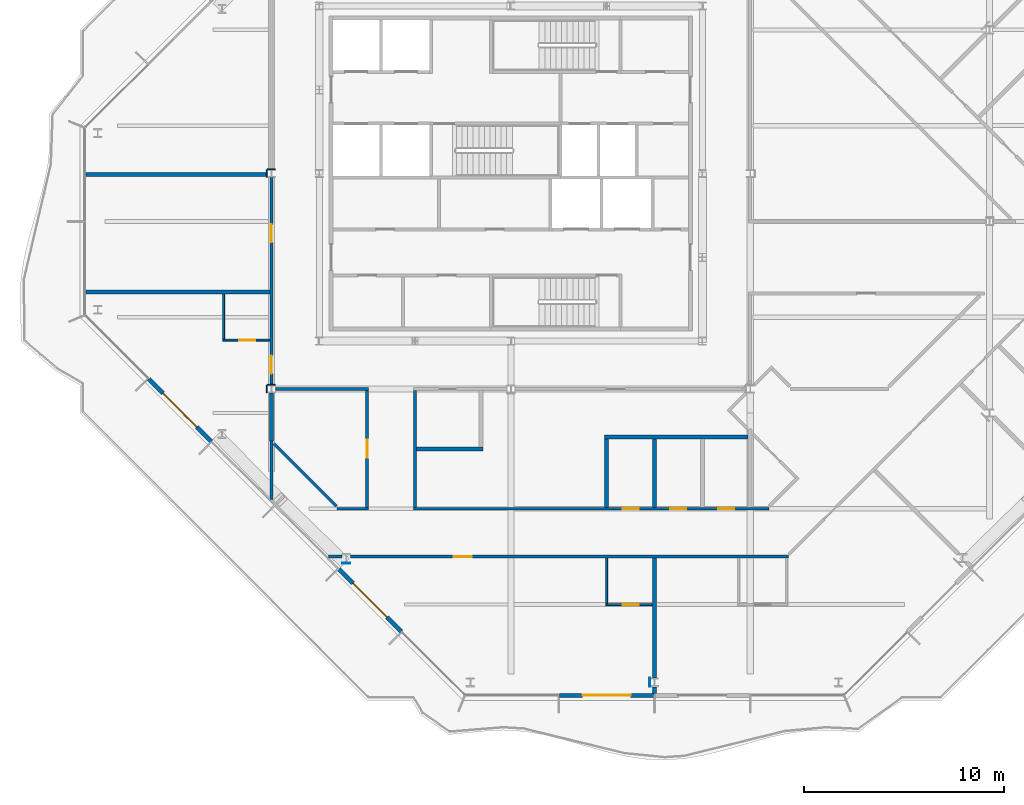
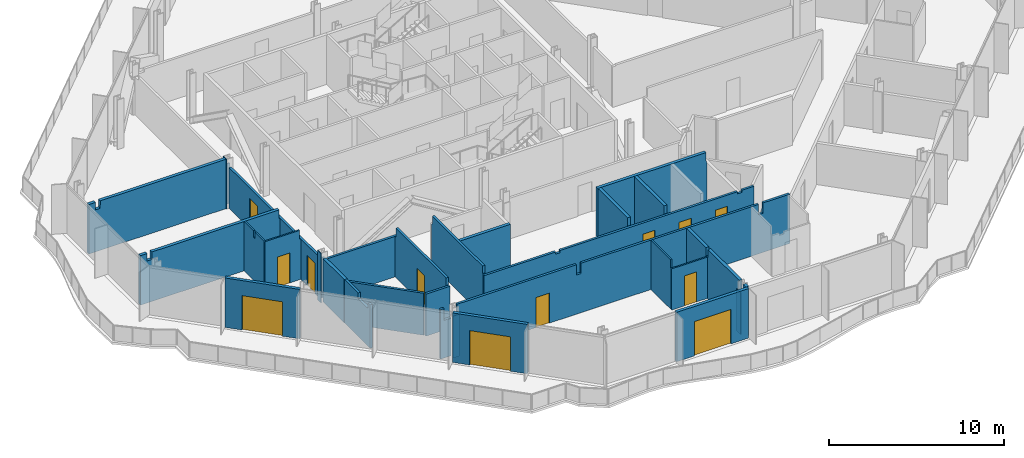
# One storey, part 7 of 17: 32 walls, 12 doors, 12 openings.
"""IFC4 building model written with IfcOpenShell, lengths in metres."""

import ifcopenshell
import ifcopenshell.guid

model = None  # the IFC model being written
_history = None  # IfcOwnerHistory: only IFC2X3 demands one
_inside = {}  # id of a spatial element -> (the spatial element, [elements in it])
_under = {}  # id of a project, library or spatial element -> (it, [spatial elements below it])
_declared = {}  # id of a project -> (the project, [libraries it declares])
_typed = {}  # id of a type object -> (the type object, [elements of that type])
_made_of = {}  # id of a material, layer set ... -> (it, [elements and type objects made of it])


def new_model(schema):
    """Start an empty IFC model of exactly this schema.

    Asked for "IFC4X3", IfcOpenShell would pick the latest addendum, in which some entities
    have other attributes; the version numbers below select the first issue.
    IFC2X3 requires an IfcOwnerHistory on every rooted entity: one is made here for all.
    """
    global model, _history
    if schema == "IFC4X3":
        model = ifcopenshell.file(schema_version=(4, 3, 0, 0))
    else:
        model = ifcopenshell.file(schema=schema)
    _inside.clear()
    _under.clear()
    _declared.clear()
    _typed.clear()
    _made_of.clear()
    _history = None
    if model.schema == "IFC2X3":
        org = make("IfcOrganization", Name="unknown")
        user = make(
            "IfcPersonAndOrganization",
            ThePerson=make("IfcPerson", FamilyName="unknown"),
            TheOrganization=org,
        )
        app = make(
            "IfcApplication",
            ApplicationDeveloper=org,
            Version="unknown",
            ApplicationFullName="unknown",
            ApplicationIdentifier="unknown",
        )
        _history = make(
            "IfcOwnerHistory",
            OwningUser=user,
            OwningApplication=app,
            ChangeAction="ADDED",
            CreationDate=0,
        )
    return model


def make(cls, **values):
    """One entity of the class cls with the attributes given. An attribute that is None is left unset."""
    return model.create_entity(
        cls, **{name: value for name, value in values.items() if value is not None}
    )


def rooted(cls, **values):
    """An entity with a GlobalId (a new one), such as an element, a storey or a relation."""
    return make(cls, GlobalId=ifcopenshell.guid.new(), OwnerHistory=_history, **values)


def si_unit(unit_type, name, prefix=None):
    """IfcSIUnit, for example si_unit("LENGTHUNIT", "METRE", prefix="MILLI")."""
    return make("IfcSIUnit", UnitType=unit_type, Prefix=prefix, Name=name)


def assignment(units):
    """IfcUnitAssignment: the units of a project."""
    return None if units is None else make("IfcUnitAssignment", Units=units)


def point(xyz):
    """IfcCartesianPoint."""
    return None if xyz is None else make("IfcCartesianPoint", Coordinates=xyz)


def direction(xyz):
    """IfcDirection."""
    return None if xyz is None else make("IfcDirection", DirectionRatios=xyz)


def frame(location, z_axis=None, x_axis=None):
    """IfcAxis2Placement3D, a coordinate frame: its origin and axes. An axis left out is left unset."""
    return make(
        "IfcAxis2Placement3D",
        Location=point(location),
        Axis=direction(z_axis),
        RefDirection=direction(x_axis),
    )


def frame_2d(location, x_axis=None):
    """IfcAxis2Placement2D, a coordinate frame in the plane: its origin and x axis."""
    return make(
        "IfcAxis2Placement2D", Location=point(location), RefDirection=direction(x_axis)
    )


def origin():
    """The frame at (0, 0, 0) with its axes left unset."""
    return frame((0.0, 0.0, 0.0))


def place(relative_to, where):
    """IfcLocalPlacement: puts the frame where relative to a parent placement (None: the world)."""
    return make(
        "IfcLocalPlacement", PlacementRelTo=relative_to, RelativePlacement=where
    )


def context(
    kind, dimensions, precision=None, world=None, true_north=None, identifier=None
):
    """IfcGeometricRepresentationContext, for example the 3D "Model" context."""
    return make(
        "IfcGeometricRepresentationContext",
        ContextIdentifier=identifier,
        ContextType=kind,
        CoordinateSpaceDimension=dimensions,
        Precision=precision,
        WorldCoordinateSystem=world,
        TrueNorth=true_north,
    )


def subcontext(parent, identifier, kind, view, scale=None):
    """IfcGeometricRepresentationSubContext, for example "Body" below "Model"."""
    return make(
        "IfcGeometricRepresentationSubContext",
        ContextIdentifier=identifier,
        ContextType=kind,
        ParentContext=parent,
        TargetScale=scale,
        TargetView=view,
    )


def project(units=None, contexts=None):
    """IfcProject with its units and contexts."""
    return rooted(
        "IfcProject",
        Name="project",
        RepresentationContexts=contexts,
        UnitsInContext=assignment(units),
    )


def spatial(cls, under=None, at=None, **own):
    """A site, building, storey or space (cls), placed at a placement, below another one or the project."""
    s = rooted(cls, ObjectPlacement=at, **own)
    if under is not None:
        _under.setdefault(under.id(), (under, []))[1].append(s)
    return s


def polyline(points):
    """IfcPolyline through the points."""
    return make("IfcPolyline", Points=[point(p) for p in points])


def profile(cls, at=None, kind="AREA", **sizes):
    """A parametric profile (cls). Its sizes go by their IFC names, for example OverallWidth=200.0."""
    return make(cls, ProfileType=kind, Position=at, **sizes)


def rectangle(**sizes):
    """IfcRectangleProfileDef."""
    return profile("IfcRectangleProfileDef", **sizes)


def outline(outer, holes=None, kind="AREA"):
    """IfcArbitraryClosedProfileDef: a profile drawn as a closed curve; with holes, ...WithVoids."""
    if holes is None:
        return make("IfcArbitraryClosedProfileDef", ProfileType=kind, OuterCurve=outer)
    return make(
        "IfcArbitraryProfileDefWithVoids",
        ProfileType=kind,
        OuterCurve=outer,
        InnerCurves=holes,
    )


def extrude(swept, where, along, depth):
    """IfcExtrudedAreaSolid: the profile swept, set in the frame where, extruded along a direction by depth."""
    return make(
        "IfcExtrudedAreaSolid",
        SweptArea=swept,
        Position=where,
        ExtrudedDirection=direction(along),
        Depth=depth,
    )


def shape(context_of_items, identifier, shape_type, items):
    """IfcShapeRepresentation: the items that make up one representation, for example the "Body"."""
    return make(
        "IfcShapeRepresentation",
        ContextOfItems=context_of_items,
        RepresentationIdentifier=identifier,
        RepresentationType=shape_type,
        Items=items,
    )


def material(Name=None, Category=None):
    """IfcMaterial."""
    return make("IfcMaterial", Name=Name, Category=Category)


def layer(
    of_material, thickness, ventilated=None, Name=None, Category=None, Priority=None
):
    """IfcMaterialLayer: one layer of a wall or slab, of a material (None: an air gap)."""
    return make(
        "IfcMaterialLayer",
        Material=of_material,
        LayerThickness=thickness,
        IsVentilated=ventilated,
        Name=Name,
        Category=Category,
        Priority=Priority,
    )


def layer_set(layers, Name=None):
    """IfcMaterialLayerSet."""
    return make("IfcMaterialLayerSet", MaterialLayers=layers, LayerSetName=Name)


def made_of(thing, what):
    """Note that an element or type object is made of a material, layer set ...; save() writes the relation."""
    if what is not None:
        _made_of.setdefault(what.id(), (what, []))[1].append(thing)
    return thing


def type_object(cls, material=None, **own):
    """A type object (cls), such as IfcWallType, which elements share."""
    return made_of(rooted(cls, **own), material)


def element(
    cls,
    number,
    at=None,
    inside=None,
    cuts=None,
    type_object=None,
    material=None,
    context=None,
    identifier="Body",
    shape_type=None,
    held_by="IfcProductDefinitionShape",
    body=None,
    shapes=None,
    **own,
):
    """One element of the class cls, such as IfcWall. Its Tag is "e" and its number.

    at: its placement. inside: the storey or other place that contains it. cuts: it is an
    opening in that element (IfcRelVoidsElement). A single representation is given by context,
    identifier, shape_type and body (its items); several are given by shapes. held_by: the class
    of the entity that holds the representations. save() writes the other relations.
    """
    e = rooted(cls, Tag="e%d" % number, ObjectPlacement=at, **own)
    if body is not None:
        shapes = [shape(context, identifier, shape_type, body)]
    if shapes is not None:
        e.Representation = make(held_by, Representations=shapes)
    if inside is not None:
        _inside.setdefault(inside.id(), (inside, []))[1].append(e)
    if cuts is not None:
        rooted(
            "IfcRelVoidsElement", RelatingBuildingElement=cuts, RelatedOpeningElement=e
        )
    if type_object is not None:
        _typed.setdefault(type_object.id(), (type_object, []))[1].append(e)
    return made_of(e, material)


def fill(opening, filler):
    """IfcRelFillsElement: the door or window that sits in an opening."""
    return rooted(
        "IfcRelFillsElement",
        RelatingOpeningElement=opening,
        RelatedBuildingElement=filler,
    )


def aggregate(whole, parts):
    """IfcRelAggregates: a whole, such as a stair, and the parts it consists of."""
    return rooted("IfcRelAggregates", RelatingObject=whole, RelatedObjects=parts)


def save(model, path):
    """Write the relations noted so far, then the file.

    IfcRelAggregates (storeys below a building ...), IfcRelContainedInSpatialStructure (elements
    in a storey), IfcRelDefinesByType, IfcRelAssociatesMaterial and IfcRelDeclares: one each for
    every whole, place, type object, material and project.
    """
    for whole, parts in _under.values():
        aggregate(whole, parts)
    for where, things in _inside.values():
        rooted(
            "IfcRelContainedInSpatialStructure",
            RelatedElements=things,
            RelatingStructure=where,
        )
    for kind, things in _typed.values():
        rooted("IfcRelDefinesByType", RelatedObjects=things, RelatingType=kind)
    for what, things in _made_of.values():
        rooted("IfcRelAssociatesMaterial", RelatedObjects=things, RelatingMaterial=what)
    for by, libraries in _declared.values():
        rooted("IfcRelDeclares", RelatingContext=by, RelatedDefinitions=libraries)
    model.write(path)


model = new_model("IFC4")

# Units and contexts
model_context = context("Model", 3, precision=1e-05, world=origin(), true_north=direction((0.0, 1.0)))
body_context = subcontext(model_context, "Body", "Model", "MODEL_VIEW")
ifc_project = project(units=[si_unit("LENGTHUNIT", "METRE"), si_unit("AREAUNIT", "SQUARE_METRE"), si_unit("VOLUMEUNIT", "CUBIC_METRE"), si_unit("PLANEANGLEUNIT", "RADIAN"), si_unit("MASSUNIT", "GRAM", prefix="KILO")], contexts=[model_context])

# Site, building, storey
site_placement = place(None, origin())
site = spatial("IfcSite", under=ifc_project, at=site_placement, CompositionType="ELEMENT")
building_placement = place(site_placement, origin())
building = spatial("IfcBuilding", under=site, at=building_placement, Name="Cairn Pilgrim Tower", CompositionType="ELEMENT")
storey_placement = place(building_placement, frame((0.0, 0.0, 210.60009765625)))
storey = spatial("IfcBuildingStorey", under=building, at=storey_placement, Name="L53", CompositionType="ELEMENT", Elevation=210.60009765625)

# Wall, opening, door
ifc_material_1 = material(Name="Bronze anodised aluminium insulated sandwich panel with mineral wool fill", Category="aluminium")
ifc_layer_1 = layer(ifc_material_1, 0.199951171875)
ifc_layer_set_1 = layer_set([ifc_layer_1], Name="BRONZE INFILL FRAME WALL 200")
wall_type_1 = type_object("IfcWallType", Name="BRONZE INFILL FRAME WALL 200", PredefinedType="NOTDEFINED", material=ifc_layer_set_1)
wall_1_placement = place(storey_placement, frame((9.6298828125, -23.75, 0.0), z_axis=(0.0, 0.0, 1.0), x_axis=(1.0, 0.0, 0.0)))
wall_1 = element("IfcWall", 1, at=wall_1_placement, inside=storey, type_object=wall_type_1, Name="Bronze infill frame wall IW-S2", PredefinedType="NOTDEFINED", context=body_context, shape_type="SweptSolid", body=[
    extrude(rectangle(XDim=4.740234375, YDim=0.199951171875, at=frame_2d((2.3701171875, 0.0))), origin(), (0.0, 0.0, 1.0), 3.449951171875),
])
opening_1_placement = place(wall_1_placement, frame((1.169921875, 0.0, 0.0)))
opening_1 = element("IfcOpeningElement", 2, at=opening_1_placement, cuts=wall_1, Name="Opening 5312B2", PredefinedType="OPENING", context=body_context, shape_type="SweptSolid", body=[
    extrude(rectangle(XDim=2.39990234375, YDim=2.39990234375, at=frame_2d((1.199951171875, 1.199951171875))), frame((0.0, 0.10986328125, 0.0), z_axis=(0.0, -1.0, 0.0), x_axis=(1.0, 0.0, 0.0)), (0.0, 0.0, 1.0), 0.219970703125),
])
ifc_material_2 = material(Name="Bronze anodised aluminium frame with tinted low-E glass", Category="aluminium")
door_type_1 = type_object("IfcDoorType", Name="BALCONY SLIDING DOOR 2400x2400", OperationType="DOUBLE_DOOR_SLIDING", PredefinedType="DOOR", material=ifc_material_2)
door_1_placement = place(opening_1_placement, origin())
door_1 = element("IfcDoor", 3, at=door_1_placement, inside=storey, type_object=door_type_1, Name="Balcony sliding door 5312B2", OperationType="SINGLE_SWING_LEFT", OverallHeight=2.39990234375, OverallWidth=2.39990234375, PredefinedType="DOOR", context=body_context, shape_type="SweptSolid", body=[
    extrude(rectangle(XDim=2.39990234375, YDim=2.39990234375, at=frame_2d((1.199951171875, 1.199951171875))), frame((0.0, 0.02490234375, 0.0), z_axis=(0.0, -1.0, 0.0), x_axis=(1.0, 0.0, 0.0)), (0.0, 0.0, 1.0), 0.050048828125),
])
fill(opening_1, door_1)

wall_2_placement = place(storey_placement, frame((-10.953125, -7.893310546875, 0.0), z_axis=(0.0, 0.0, 1.0), x_axis=(0.707106781187, -0.707106781187, 0.0)))
wall_2 = element("IfcWall", 4, at=wall_2_placement, inside=storey, type_object=wall_type_1, Name="Bronze infill frame wall IW-SW2", PredefinedType="NOTDEFINED", context=body_context, shape_type="SweptSolid", body=[
    extrude(rectangle(XDim=4.430908203125, YDim=0.199951171875, at=frame_2d((2.21533203125, 0.0))), origin(), (0.0, 0.0, 1.0), 3.449951171875),
])
opening_2_placement = place(wall_2_placement, frame((1.015380859375, 0.0, 0.0)))
opening_2 = element("IfcOpeningElement", 5, at=opening_2_placement, cuts=wall_2, Name="Opening 5311B", PredefinedType="OPENING", context=body_context, shape_type="SweptSolid", body=[
    extrude(rectangle(XDim=2.39990234375, YDim=2.39990234375, at=frame_2d((1.199951171875, 1.199951171875))), frame((0.0, 0.10986328125, 0.0), z_axis=(0.0, -1.0, 0.0), x_axis=(1.0, 0.0, 0.0)), (0.0, 0.0, 1.0), 0.219970703125),
])
door_2_placement = place(opening_2_placement, origin())
door_2 = element("IfcDoor", 6, at=door_2_placement, inside=storey, type_object=door_type_1, Name="Balcony sliding door 5311B", OperationType="SINGLE_SWING_LEFT", OverallHeight=2.39990234375, OverallWidth=2.39990234375, PredefinedType="DOOR", context=body_context, shape_type="SweptSolid", body=[
    extrude(rectangle(XDim=2.39990234375, YDim=2.39990234375, at=frame_2d((1.199951171875, 1.199951171875))), frame((0.0, 0.02490234375, 0.0), z_axis=(0.0, -1.0, 0.0), x_axis=(1.0, 0.0, 0.0)), (0.0, 0.0, 1.0), 0.050048828125),
])
fill(opening_2, door_2)

wall_3_placement = place(storey_placement, frame((-1.426513671875, -17.419921875, 0.0), z_axis=(0.0, 0.0, 1.0), x_axis=(0.707106781187, -0.707106781187, 0.0)))
wall_3 = element("IfcWall", 7, at=wall_3_placement, inside=storey, type_object=wall_type_1, Name="Bronze infill frame wall IW-SW5", PredefinedType="NOTDEFINED", context=body_context, shape_type="SweptSolid", body=[
    extrude(rectangle(XDim=4.43115234375, YDim=0.199951171875, at=frame_2d((2.215576171875, 0.0))), origin(), (0.0, 0.0, 1.0), 3.449951171875),
])
opening_3_placement = place(wall_3_placement, frame((1.01513671875, 0.0, 0.0)))
opening_3 = element("IfcOpeningElement", 8, at=opening_3_placement, cuts=wall_3, Name="Opening 5312B", PredefinedType="OPENING", context=body_context, shape_type="SweptSolid", body=[
    extrude(rectangle(XDim=2.39990234375, YDim=2.39990234375, at=frame_2d((1.199951171875, 1.199951171875))), frame((0.0, 0.10986328125, 0.0), z_axis=(0.0, -1.0, 0.0), x_axis=(1.0, 0.0, 0.0)), (0.0, 0.0, 1.0), 0.219970703125),
])
door_3_placement = place(opening_3_placement, origin())
door_3 = element("IfcDoor", 9, at=door_3_placement, inside=storey, type_object=door_type_1, Name="Balcony sliding door 5312B", OperationType="SINGLE_SWING_LEFT", OverallHeight=2.39990234375, OverallWidth=2.39990234375, PredefinedType="DOOR", context=body_context, shape_type="SweptSolid", body=[
    extrude(rectangle(XDim=2.39990234375, YDim=2.39990234375, at=frame_2d((1.199951171875, 1.199951171875))), frame((0.0, 0.02490234375, 0.0), z_axis=(0.0, -1.0, 0.0), x_axis=(1.0, 0.0, 0.0)), (0.0, 0.0, 1.0), 0.050048828125),
])
fill(opening_3, door_3)

ifc_material_3 = material(Name="Gypsum partition")
ifc_layer_2 = layer(ifc_material_3, 0.10009765625)
ifc_layer_set_2 = layer_set([ifc_layer_2], Name="PARTITION 100 DRYWALL")
wall_type_2 = type_object("IfcWallType", Name="PARTITION 100 DRYWALL", PredefinedType="PARTITIONING", material=ifc_layer_set_2)
wall_4_placement = place(storey_placement, frame((11.949951171875, -19.199951171875, 0.0), z_axis=(0.0, 0.0, 1.0), x_axis=(1.0, 0.0, 0.0)))
wall_4 = element("IfcWall", 10, at=wall_4_placement, inside=storey, type_object=wall_type_2, Name="PARTITION W003", PredefinedType="PARTITIONING", context=body_context, shape_type="SweptSolid", body=[
    extrude(rectangle(XDim=2.35009765625, YDim=0.10009765625, at=frame_2d((1.175048828125, 0.0))), origin(), (0.0, 0.0, 1.0), 2.8798828125),
])
opening_4_placement = place(wall_4_placement, frame((0.85009765625, 0.0, 0.0)))
opening_4 = element("IfcOpeningElement", 11, at=opening_4_placement, cuts=wall_4, Name="Opening 5312A", PredefinedType="OPENING", context=body_context, shape_type="SweptSolid", body=[
    extrude(rectangle(XDim=0.800048828125, YDim=2.10009765625, at=frame_2d((0.39990234375, 1.050048828125))), frame((0.0, 0.06005859375, 0.0), z_axis=(0.0, -1.0, 0.0), x_axis=(1.0, 0.0, 0.0)), (0.0, 0.0, 1.0), 0.1201171875),
])
ifc_material_4 = material(Name="Timber door leaf", Category="wood")
door_type_2 = type_object("IfcDoorType", Name="WC DOOR 800x2100", OperationType="NOTDEFINED", PredefinedType="DOOR", material=ifc_material_4)
door_4_placement = place(opening_4_placement, frame((0.800048828125, 0.0, 0.0), z_axis=(0.0, 0.0, 1.0), x_axis=(-1.0, 0.0, 0.0)))
door_4 = element("IfcDoor", 12, at=door_4_placement, inside=storey, type_object=door_type_2, Name="DOOR 5312A", OperationType="SINGLE_SWING_RIGHT", OverallHeight=2.10009765625, OverallWidth=0.800048828125, PredefinedType="DOOR", context=body_context, shape_type="SweptSolid", body=[
    extrude(rectangle(XDim=0.800048828125, YDim=2.10009765625, at=frame_2d((0.39990234375, 1.050048828125))), frame((0.0, 0.02490234375, 0.0), z_axis=(0.0, -1.0, 0.0), x_axis=(1.0, 0.0, 0.0)), (0.0, 0.0, 1.0), 0.050048828125),
])
fill(opening_4, door_4)

# Wall
wall_5_placement = place(storey_placement, frame((12.0, -19.14990234375, 0.0), z_axis=(0.0, 0.0, 1.0), x_axis=(0.0, 1.0, 0.0)))
element("IfcWall", 13, at=wall_5_placement, inside=storey, type_object=wall_type_2, Name="PARTITION W005", PredefinedType="PARTITIONING", context=body_context, shape_type="SweptSolid", body=[
    extrude(outline(polyline([(0.0, 0.0), (2.27490234375, 0.0), (2.27490234375, 3.449951171875), (0.054931640625, 3.449951171875), (0.052978515625, 2.8798828125), (0.0, 2.8798828125), (0.0, 0.0)])), frame((0.0, 0.050048828125, 0.0), z_axis=(0.0, -1.0, 0.0), x_axis=(1.0, 0.0, 0.0)), (0.0, 0.0, 1.0), 0.10009765625),
])

# Wall, opening, door
wall_6_placement = place(storey_placement, frame((-7.25, -5.944091796875, 0.0), z_axis=(0.0, 0.0, 1.0), x_axis=(1.0, 0.0, 0.0)))
wall_6 = element("IfcWall", 14, at=wall_6_placement, inside=storey, type_object=wall_type_2, Name="PARTITION W044", PredefinedType="PARTITIONING", context=body_context, shape_type="SweptSolid", body=[
    extrude(outline(polyline([(0.0, 0.0), (2.375, 0.0), (2.375, 2.829833984375), (2.300048828125, 2.829833984375), (2.298095703125, 3.449951171875), (0.0, 3.449951171875), (0.0, 0.0)])), frame((0.0, 0.050048828125, 0.0), z_axis=(0.0, -1.0, 0.0), x_axis=(1.0, 0.0, 0.0)), (0.0, 0.0, 1.0), 0.10009765625),
])
opening_5_placement = place(wall_6_placement, frame((0.85009765625, 0.0, 0.0)))
opening_5 = element("IfcOpeningElement", 15, at=opening_5_placement, cuts=wall_6, Name="Opening 5311A", PredefinedType="OPENING", context=body_context, shape_type="SweptSolid", body=[
    extrude(rectangle(XDim=0.800048828125, YDim=2.10009765625, at=frame_2d((0.39990234375, 1.050048828125))), frame((0.0, 0.06005859375, 0.0), z_axis=(0.0, -1.0, 0.0), x_axis=(1.0, 0.0, 0.0)), (0.0, 0.0, 1.0), 0.1201171875),
])
door_5_placement = place(opening_5_placement, frame((0.800048828125, 0.0, 0.0), z_axis=(0.0, 0.0, 1.0), x_axis=(-1.0, 0.0, 0.0)))
door_5 = element("IfcDoor", 16, at=door_5_placement, inside=storey, type_object=door_type_2, Name="DOOR 5311A", OperationType="SINGLE_SWING_RIGHT", OverallHeight=2.10009765625, OverallWidth=0.800048828125, PredefinedType="DOOR", context=body_context, shape_type="SweptSolid", body=[
    extrude(rectangle(XDim=0.800048828125, YDim=2.10009765625, at=frame_2d((0.39990234375, 1.050048828125))), frame((0.0, 0.02490234375, 0.0), z_axis=(0.0, -1.0, 0.0), x_axis=(1.0, 0.0, 0.0)), (0.0, 0.0, 1.0), 0.050048828125),
])
fill(opening_5, door_5)

# Walls
wall_7_placement = place(storey_placement, frame((-7.199951171875, -5.89404296875, 0.0), z_axis=(0.0, 0.0, 1.0), x_axis=(0.0, 1.0, 0.0)))
element("IfcWall", 17, at=wall_7_placement, inside=storey, type_object=wall_type_2, Name="PARTITION W045", PredefinedType="PARTITIONING", context=body_context, shape_type="SweptSolid", body=[
    extrude(outline(polyline([(0.0, 0.0), (2.25, 0.0), (2.25, 3.449951171875), (1.18896484375, 3.449951171875), (1.18701171875, 2.97998046875), (0.9990234375, 2.97998046875), (0.9970703125, 3.449951171875), (0.0, 3.449951171875), (0.0, 0.0)])), frame((0.0, 0.050048828125, 0.0), z_axis=(0.0, -1.0, 0.0), x_axis=(1.0, 0.0, 0.0)), (0.0, 0.0, 1.0), 0.10009765625),
])
ifc_layer_3 = layer(ifc_material_3, 0.14990234375)
ifc_layer_set_3 = layer_set([ifc_layer_3], Name="PARTITION 150 DRYWALL EI 60")
wall_type_3 = type_object("IfcWallType", Name="PARTITION 150 DRYWALL EI 60", PredefinedType="PARTITIONING", material=ifc_layer_set_3)
wall_8_placement = place(storey_placement, frame((-1.926025390625, -16.800048828125, 0.0), z_axis=(0.0, 0.0, 1.0), x_axis=(1.0, 0.0, 0.0)))
element("IfcWall", 18, at=wall_8_placement, inside=storey, type_object=wall_type_3, Name="PARTITION W009", PredefinedType="PARTITIONING", context=body_context, shape_type="SweptSolid", body=[
    extrude(outline(polyline([(0.0, 0.0), (0.66650390625, 0.0), (0.66650390625, 2.6298828125), (0.22900390625, 2.6298828125), (0.226806640625, 3.449951171875), (0.0, 3.449951171875), (0.0, 0.0)])), frame((0.0, 0.074951171875, 0.0), z_axis=(0.0, -1.0, 0.0), x_axis=(1.0, 0.0, 0.0)), (0.0, 0.0, 1.0), 0.14990234375),
])

# Wall, opening, door
wall_9_placement = place(storey_placement, frame((-0.843505859375, -16.800048828125, 0.0), z_axis=(0.0, 0.0, 1.0), x_axis=(1.0, 0.0, 0.0)))
wall_9 = element("IfcWall", 19, at=wall_9_placement, inside=storey, type_object=wall_type_3, Name="PARTITION W010", PredefinedType="PARTITIONING", context=body_context, shape_type="SweptSolid", body=[
    extrude(outline(polyline([(0.0, 0.0), (21.967529296875, 0.0), (21.967529296875, 3.449951171875), (20.193603515625, 3.449951171875), (20.19140625, 2.72998046875), (19.8935546875, 2.72998046875), (19.8916015625, 3.449951171875), (8.193603515625, 3.449951171875), (8.19140625, 2.72998046875), (7.8935546875, 2.72998046875), (7.8916015625, 3.449951171875), (0.0, 3.449951171875), (0.0, 0.0)])), frame((0.0, 0.074951171875, 0.0), z_axis=(0.0, -1.0, 0.0), x_axis=(1.0, 0.0, 0.0)), (0.0, 0.0, 1.0), 0.14990234375),
])
opening_6_placement = place(wall_9_placement, frame((5.193603515625, 0.0, 0.0)))
opening_6 = element("IfcOpeningElement", 20, at=opening_6_placement, cuts=wall_9, Name="Opening 5312", PredefinedType="OPENING", context=body_context, shape_type="SweptSolid", body=[
    extrude(rectangle(XDim=0.89990234375, YDim=2.10009765625, at=frame_2d((0.449951171875, 1.050048828125))), frame((0.0, 0.0849609375, 0.0), z_axis=(0.0, -1.0, 0.0), x_axis=(1.0, 0.0, 0.0)), (0.0, 0.0, 1.0), 0.169921875),
])
door_type_3 = type_object("IfcDoorType", Name="ROOM DOOR 900x2100 FD30S", OperationType="NOTDEFINED", PredefinedType="DOOR", material=ifc_material_4)
door_6_placement = place(opening_6_placement, frame((0.89990234375, 0.0, 0.0), z_axis=(0.0, 0.0, 1.0), x_axis=(-1.0, 0.0, 0.0)))
door_6 = element("IfcDoor", 21, at=door_6_placement, inside=storey, type_object=door_type_3, Name="DOOR 5312", OperationType="SINGLE_SWING_RIGHT", OverallHeight=2.10009765625, OverallWidth=0.89990234375, PredefinedType="DOOR", context=body_context, shape_type="SweptSolid", body=[
    extrude(rectangle(XDim=0.89990234375, YDim=2.10009765625, at=frame_2d((0.449951171875, 1.050048828125))), frame((0.0, 0.02490234375, 0.0), z_axis=(0.0, -1.0, 0.0), x_axis=(1.0, 0.0, 0.0)), (0.0, 0.0, 1.0), 0.050048828125),
])
fill(opening_6, door_6)

# Wall
wall_10_placement = place(storey_placement, frame((-1.51220703125, -14.39990234375, 0.0), z_axis=(0.0, 0.0, 1.0), x_axis=(1.0, 0.0, 0.0)))
element("IfcWall", 22, at=wall_10_placement, inside=storey, type_object=wall_type_3, Name="PARTITION W013", PredefinedType="PARTITIONING", context=body_context, shape_type="SweptSolid", body=[
    extrude(rectangle(XDim=1.587158203125, YDim=0.14990234375, at=frame_2d((0.79345703125, 0.0))), origin(), (0.0, 0.0, 1.0), 2.929931640625),
])

# Wall, openings, doors
wall_11_placement = place(storey_placement, frame((2.324951171875, -14.39990234375, 0.0), z_axis=(0.0, 0.0, 1.0), x_axis=(1.0, 0.0, 0.0)))
wall_11 = element("IfcWall", 23, at=wall_11_placement, inside=storey, type_object=wall_type_3, Name="PARTITION W014", PredefinedType="PARTITIONING", context=body_context, shape_type="SweptSolid", body=[
    extrude(outline(polyline([(0.0, 0.0), (17.80419921875, 0.0), (17.80419921875, 2.8798828125), (17.02490234375, 2.8798828125), (17.02294921875, 2.72998046875), (16.72509765625, 2.72998046875), (16.722900390625, 2.8798828125), (5.02490234375, 2.8798828125), (5.02294921875, 2.72998046875), (4.72509765625, 2.72998046875), (4.722900390625, 2.8798828125), (0.0, 2.8798828125), (0.0, 0.0)])), frame((0.0, 0.074951171875, 0.0), z_axis=(0.0, -1.0, 0.0), x_axis=(1.0, 0.0, 0.0)), (0.0, 0.0, 1.0), 0.14990234375),
])
opening_7_placement = place(wall_11_placement, frame((15.27490234375, 0.0, 0.0)))
opening_7 = element("IfcOpeningElement", 24, at=opening_7_placement, cuts=wall_11, Name="Opening 5314", PredefinedType="OPENING", context=body_context, shape_type="SweptSolid", body=[
    extrude(rectangle(XDim=0.800048828125, YDim=2.10009765625, at=frame_2d((0.39990234375, 1.050048828125))), frame((0.0, 0.0849609375, 0.0), z_axis=(0.0, -1.0, 0.0), x_axis=(1.0, 0.0, 0.0)), (0.0, 0.0, 1.0), 0.169921875),
])
opening_8_placement = place(wall_11_placement, frame((12.875, 0.0, 0.0)))
opening_8 = element("IfcOpeningElement", 25, at=opening_8_placement, cuts=wall_11, Name="Opening 5315", PredefinedType="OPENING", context=body_context, shape_type="SweptSolid", body=[
    extrude(rectangle(XDim=0.800048828125, YDim=2.10009765625, at=frame_2d((0.39990234375, 1.050048828125))), frame((0.0, 0.0849609375, 0.0), z_axis=(0.0, -1.0, 0.0), x_axis=(1.0, 0.0, 0.0)), (0.0, 0.0, 1.0), 0.169921875),
])
opening_9_placement = place(wall_11_placement, frame((10.47509765625, 0.0, 0.0)))
opening_9 = element("IfcOpeningElement", 26, at=opening_9_placement, cuts=wall_11, Name="Opening 5316", PredefinedType="OPENING", context=body_context, shape_type="SweptSolid", body=[
    extrude(rectangle(XDim=0.800048828125, YDim=2.10009765625, at=frame_2d((0.39990234375, 1.050048828125))), frame((0.0, 0.0849609375, 0.0), z_axis=(0.0, -1.0, 0.0), x_axis=(1.0, 0.0, 0.0)), (0.0, 0.0, 1.0), 0.169921875),
])
door_type_4 = type_object("IfcDoorType", Name="WC DOOR 800x2100 FD30S", OperationType="NOTDEFINED", PredefinedType="DOOR", material=ifc_material_4)
door_7_placement = place(opening_7_placement, origin())
door_7 = element("IfcDoor", 27, at=door_7_placement, inside=storey, type_object=door_type_4, Name="DOOR 5314", OperationType="SINGLE_SWING_RIGHT", OverallHeight=2.10009765625, OverallWidth=0.800048828125, PredefinedType="DOOR", context=body_context, shape_type="SweptSolid", body=[
    extrude(rectangle(XDim=0.800048828125, YDim=2.10009765625, at=frame_2d((0.39990234375, 1.050048828125))), frame((0.0, 0.02490234375, 0.0), z_axis=(0.0, -1.0, 0.0), x_axis=(1.0, 0.0, 0.0)), (0.0, 0.0, 1.0), 0.050048828125),
])
fill(opening_7, door_7)
door_8_placement = place(opening_8_placement, origin())
door_8 = element("IfcDoor", 28, at=door_8_placement, inside=storey, type_object=door_type_4, Name="DOOR 5315", OperationType="SINGLE_SWING_RIGHT", OverallHeight=2.10009765625, OverallWidth=0.800048828125, PredefinedType="DOOR", context=body_context, shape_type="SweptSolid", body=[
    extrude(rectangle(XDim=0.800048828125, YDim=2.10009765625, at=frame_2d((0.39990234375, 1.050048828125))), frame((0.0, 0.02490234375, 0.0), z_axis=(0.0, -1.0, 0.0), x_axis=(1.0, 0.0, 0.0)), (0.0, 0.0, 1.0), 0.050048828125),
])
fill(opening_8, door_8)
door_9_placement = place(opening_9_placement, origin())
door_9 = element("IfcDoor", 29, at=door_9_placement, inside=storey, type_object=door_type_4, Name="DOOR 5316", OperationType="SINGLE_SWING_RIGHT", OverallHeight=2.10009765625, OverallWidth=0.800048828125, PredefinedType="DOOR", context=body_context, shape_type="SweptSolid", body=[
    extrude(rectangle(XDim=0.800048828125, YDim=2.10009765625, at=frame_2d((0.39990234375, 1.050048828125))), frame((0.0, 0.02490234375, 0.0), z_axis=(0.0, -1.0, 0.0), x_axis=(1.0, 0.0, 0.0)), (0.0, 0.0, 1.0), 0.050048828125),
])
fill(opening_9, door_9)

# Wall
wall_12_placement = place(storey_placement, frame((-1.533935546875, -14.27197265625, 0.0), z_axis=(0.0, 0.0, 1.0), x_axis=(-0.707134287042, 0.707079274261, 0.0)))
element("IfcWall", 30, at=wall_12_placement, inside=storey, type_object=wall_type_3, Name="PARTITION W015", PredefinedType="PARTITIONING", context=body_context, shape_type="SweptSolid", body=[
    extrude(rectangle(XDim=4.43798828125, YDim=0.14990234375, at=frame_2d((2.218994140625, 0.0))), origin(), (0.0, 0.0, 1.0), 2.929931640625),
])

# Wall, opening, door
wall_13_placement = place(storey_placement, frame((0.0, -14.324951171875, 0.0), z_axis=(0.0, 0.0, 1.0), x_axis=(0.0, 1.0, 0.0)))
wall_13 = element("IfcWall", 31, at=wall_13_placement, inside=storey, type_object=wall_type_3, Name="PARTITION W016", PredefinedType="PARTITIONING", context=body_context, shape_type="SweptSolid", body=[
    extrude(outline(polyline([(0.0, 0.0), (5.849853515625, 0.0), (5.85009765625, 2.829833984375), (5.77490234375, 2.829833984375), (5.77294921875, 3.449951171875), (0.02490234375, 3.449951171875), (0.02294921875, 2.929931640625), (0.0, 2.929931640625), (0.0, 0.0)])), frame((0.0, 0.074951171875, 0.0), z_axis=(0.0, -1.0, 0.0), x_axis=(1.0, 0.0, 0.0)), (0.0, 0.0, 1.0), 0.14990234375),
])
opening_10_placement = place(wall_13_placement, frame((2.47509765625, 0.0, 0.0)))
opening_10 = element("IfcOpeningElement", 32, at=opening_10_placement, cuts=wall_13, Name="Opening 5320", PredefinedType="OPENING", context=body_context, shape_type="SweptSolid", body=[
    extrude(rectangle(XDim=0.89990234375, YDim=2.10009765625, at=frame_2d((0.449951171875, 1.050048828125))), frame((0.0, 0.0849609375, 0.0), z_axis=(0.0, -1.0, 0.0), x_axis=(1.0, 0.0, 0.0)), (0.0, 0.0, 1.0), 0.169921875),
])
door_type_5 = type_object("IfcDoorType", Name="SERVICE DOOR 900x2100 FD30S", OperationType="NOTDEFINED", PredefinedType="DOOR", material=ifc_material_4)
door_10_placement = place(opening_10_placement, origin())
door_10 = element("IfcDoor", 33, at=door_10_placement, inside=storey, type_object=door_type_5, Name="DOOR 5320", OperationType="SINGLE_SWING_LEFT", OverallHeight=2.10009765625, OverallWidth=0.89990234375, PredefinedType="DOOR", context=body_context, shape_type="SweptSolid", body=[
    extrude(rectangle(XDim=0.89990234375, YDim=2.10009765625, at=frame_2d((0.449951171875, 1.050048828125))), frame((0.0, 0.02490234375, 0.0), z_axis=(0.0, -1.0, 0.0), x_axis=(1.0, 0.0, 0.0)), (0.0, 0.0, 1.0), 0.050048828125),
])
fill(opening_10, door_10)

# Walls
wall_14_placement = place(storey_placement, frame((2.39990234375, -14.324951171875, 0.0), z_axis=(0.0, 0.0, 1.0), x_axis=(0.0, 1.0, 0.0)))
element("IfcWall", 34, at=wall_14_placement, inside=storey, type_object=wall_type_3, Name="PARTITION W017", PredefinedType="PARTITIONING", context=body_context, shape_type="SweptSolid", body=[
    extrude(outline(polyline([(0.0, 0.0), (5.849853515625, 0.0), (5.85009765625, 2.829833984375), (5.77490234375, 2.829833984375), (5.77294921875, 3.449951171875), (0.02490234375, 3.449951171875), (0.02294921875, 2.929931640625), (0.0, 2.929931640625), (0.0, 0.0)])), frame((0.0, 0.074951171875, 0.0), z_axis=(0.0, -1.0, 0.0), x_axis=(1.0, 0.0, 0.0)), (0.0, 0.0, 1.0), 0.14990234375),
])
wall_15_placement = place(storey_placement, frame((-4.800048828125, -13.926025390625, 0.0), z_axis=(0.0, 0.0, 1.0), x_axis=(0.0, 1.0, 0.0)))
element("IfcWall", 35, at=wall_15_placement, inside=storey, type_object=wall_type_3, Name="PARTITION W023", PredefinedType="PARTITIONING", context=body_context, shape_type="SweptSolid", body=[
    extrude(outline(polyline([(0.0, 0.0), (2.919921875, 0.0), (2.920166015625, 3.02978515625), (1.368896484375, 3.02978515625), (1.366943359375, 2.6298828125), (0.22900390625, 2.6298828125), (0.226806640625, 3.02978515625), (0.0, 3.02978515625), (0.0, 0.0)])), frame((0.0, 0.074951171875, 0.0), z_axis=(0.0, -1.0, 0.0), x_axis=(1.0, 0.0, 0.0)), (0.0, 0.0, 1.0), 0.14990234375),
])
wall_16_placement = place(storey_placement, frame((-4.6005859375, -8.39990234375, 0.0), z_axis=(0.0, 0.0, 1.0), x_axis=(1.0, 0.0, 0.0)))
element("IfcWall", 36, at=wall_16_placement, inside=storey, type_object=wall_type_3, Name="PARTITION W035", PredefinedType="PARTITIONING", context=body_context, shape_type="SweptSolid", body=[
    extrude(rectangle(XDim=4.675537109375, YDim=0.14990234375, at=frame_2d((2.337890625, 0.0))), origin(), (0.0, 0.0, 1.0), 2.829833984375),
])

# Wall, openings, doors
wall_17_placement = place(storey_placement, frame((-4.800048828125, -8.20361328125, 0.0), z_axis=(0.0, 0.0, 1.0), x_axis=(0.0, 1.0, 0.0)))
wall_17 = element("IfcWall", 37, at=wall_17_placement, inside=storey, type_object=wall_type_3, Name="PARTITION W041", PredefinedType="PARTITIONING", context=body_context, shape_type="SweptSolid", body=[
    extrude(rectangle(XDim=10.4072265625, YDim=0.14990234375, at=frame_2d((5.20361328125, 0.0))), origin(), (0.0, 0.0, 1.0), 2.829833984375),
])
opening_11_placement = place(wall_17_placement, frame((7.153564453125, 0.0, 0.0)))
opening_11 = element("IfcOpeningElement", 38, at=opening_11_placement, cuts=wall_17, Name="Opening 5310", PredefinedType="OPENING", context=body_context, shape_type="SweptSolid", body=[
    extrude(rectangle(XDim=0.89990234375, YDim=2.10009765625, at=frame_2d((0.449951171875, 1.050048828125))), frame((0.0, 0.0849609375, 0.0), z_axis=(0.0, -1.0, 0.0), x_axis=(1.0, 0.0, 0.0)), (0.0, 0.0, 1.0), 0.169921875),
])
opening_12_placement = place(wall_17_placement, frame((0.58154296875, 0.0, 0.0)))
opening_12 = element("IfcOpeningElement", 39, at=opening_12_placement, cuts=wall_17, Name="Opening 5311", PredefinedType="OPENING", context=body_context, shape_type="SweptSolid", body=[
    extrude(rectangle(XDim=0.89990234375, YDim=2.10009765625, at=frame_2d((0.449951171875, 1.050048828125))), frame((0.0, 0.0849609375, 0.0), z_axis=(0.0, -1.0, 0.0), x_axis=(1.0, 0.0, 0.0)), (0.0, 0.0, 1.0), 0.169921875),
])
door_11_placement = place(opening_12_placement, origin())
door_11 = element("IfcDoor", 40, at=door_11_placement, inside=storey, type_object=door_type_3, Name="DOOR 5311", OperationType="SINGLE_SWING_RIGHT", OverallHeight=2.10009765625, OverallWidth=0.89990234375, PredefinedType="DOOR", context=body_context, shape_type="SweptSolid", body=[
    extrude(rectangle(XDim=0.89990234375, YDim=2.10009765625, at=frame_2d((0.449951171875, 1.050048828125))), frame((0.0, 0.02490234375, 0.0), z_axis=(0.0, -1.0, 0.0), x_axis=(1.0, 0.0, 0.0)), (0.0, 0.0, 1.0), 0.050048828125),
])
fill(opening_12, door_11)
door_12_placement = place(opening_11_placement, origin())
door_12 = element("IfcDoor", 41, at=door_12_placement, inside=storey, type_object=door_type_5, Name="DOOR 5310", OperationType="SINGLE_SWING_RIGHT", OverallHeight=2.10009765625, OverallWidth=0.89990234375, PredefinedType="DOOR", context=body_context, shape_type="SweptSolid", body=[
    extrude(rectangle(XDim=0.89990234375, YDim=2.10009765625, at=frame_2d((0.449951171875, 1.050048828125))), frame((0.0, 0.02490234375, 0.0), z_axis=(0.0, -1.0, 0.0), x_axis=(1.0, 0.0, 0.0)), (0.0, 0.0, 1.0), 0.050048828125),
])
fill(opening_11, door_12)

# Walls
ifc_layer_4 = layer(ifc_material_3, 0.050048828125)
ifc_layer_set_4 = layer_set([ifc_layer_4], Name="PARTITION 50 DRYWALL EI 60")
wall_type_4 = type_object("IfcWallType", Name="PARTITION 50 DRYWALL EI 60", PredefinedType="PARTITIONING", material=ifc_layer_set_4)
wall_18_placement = place(storey_placement, frame((14.1669921875, -23.322998046875, 0.0), z_axis=(0.0, 0.0, 1.0), x_axis=(0.0, 1.0, 0.0)))
element("IfcWall", 42, at=wall_18_placement, inside=storey, type_object=wall_type_4, Name="COLUMN CASING WC01", PredefinedType="PARTITIONING", context=body_context, shape_type="SweptSolid", body=[
    extrude(rectangle(XDim=0.446044921875, YDim=0.050048828125, at=frame_2d((0.22314453125, 0.0))), origin(), (0.0, 0.0, 1.0), 2.929931640625),
])
wall_19_placement = place(storey_placement, frame((-1.259521484375, -17.123779296875, 0.0), z_axis=(0.0, 0.0, 1.0), x_axis=(1.0, 0.0, 0.0)))
element("IfcWall", 43, at=wall_19_placement, inside=storey, type_object=wall_type_4, Name="COLUMN CASING WC03", PredefinedType="PARTITIONING", context=body_context, shape_type="SweptSolid", body=[
    extrude(rectangle(XDim=0.416015625, YDim=0.050048828125, at=frame_2d((0.2080078125, 0.0))), origin(), (0.0, 0.0, 1.0), 2.929931640625),
])
for number, where, z_axis, x_axis, name in (
    (44, (-5.0244140625, -8.596435546875, 0.0), (0.0, 0.0, 1.0), (0.0, 1.0, 0.0), "COLUMN CASING WC06"),
    (45, (-5.0244140625, 2.20361328125, 0.0), (0.0, 0.0, 1.0), (0.0, 1.0, 0.0), "COLUMN CASING WC08"),
):
    element("IfcWall", number, at=place(storey_placement, frame(where, z_axis=z_axis, x_axis=x_axis)), inside=storey, type_object=wall_type_4, Name=name, PredefinedType="PARTITIONING", context=body_context, shape_type="SweptSolid", body=[
        extrude(rectangle(XDim=0.392822265625, YDim=0.050048828125, at=frame_2d((0.1962890625, 0.0))), origin(), (0.0, 0.0, 1.0), 3.449951171875),
    ])
for number, where, z_axis, x_axis, name in (
    (46, (-4.99951171875, -8.178466796875, 0.0), (0.0, 0.0, 1.0), (1.0, 0.0, 0.0), "COLUMN CASING WC10"),
    (47, (-4.99951171875, 2.62158203125, 0.0), (0.0, 0.0, 1.0), (1.0, 0.0, 0.0), "COLUMN CASING WC18"),
):
    element("IfcWall", number, at=place(storey_placement, frame(where, z_axis=z_axis, x_axis=x_axis)), inside=storey, type_object=wall_type_4, Name=name, PredefinedType="PARTITIONING", context=body_context, shape_type="SweptSolid", body=[
        extrude(rectangle(XDim=0.39892578125, YDim=0.050048828125, at=frame_2d((0.199462890625, 0.0))), origin(), (0.0, 0.0, 1.0), 2.829833984375),
    ])
ifc_layer_5 = layer(ifc_material_3, 0.199951171875)
ifc_layer_set_5 = layer_set([ifc_layer_5], Name="SHAFT WALL 200 GYPSUM EI 60")
wall_type_5 = type_object("IfcWallType", Name="SHAFT WALL 200 GYPSUM EI 60", PredefinedType="PARTITIONING", material=ifc_layer_set_5)
wall_20_placement = place(storey_placement, frame((14.39990234375, -23.64990234375, 0.0), z_axis=(0.0, 0.0, 1.0), x_axis=(0.0, 1.0, 0.0)))
element("IfcWall", 48, at=wall_20_placement, inside=storey, type_object=wall_type_5, Name="PARTITION W001", PredefinedType="PARTITIONING", context=body_context, shape_type="SweptSolid", body=[
    extrude(rectangle(XDim=0.326904296875, YDim=0.199951171875, at=frame_2d((0.16357421875, 0.0))), origin(), (0.0, 0.0, 1.0), 3.449951171875),
])
wall_21_placement = place(storey_placement, frame((14.39990234375, -22.876953125, 0.0), z_axis=(0.0, 0.0, 1.0), x_axis=(0.0, 1.0, 0.0)))
element("IfcWall", 49, at=wall_21_placement, inside=storey, type_object=wall_type_5, Name="PARTITION W002", PredefinedType="PARTITIONING", context=body_context, shape_type="SweptSolid", body=[
    extrude(outline(polyline([(0.0, 0.0), (6.001953125, 0.0), (6.001953125, 3.449951171875), (3.781982421875, 3.449951171875), (3.780029296875, 2.8798828125), (3.572021484375, 2.8798828125), (3.570068359375, 3.449951171875), (0.0, 3.449951171875), (0.0, 0.0)])), frame((0.0, 0.10009765625, 0.0), z_axis=(0.0, -1.0, 0.0), x_axis=(1.0, 0.0, 0.0)), (0.0, 0.0, 1.0), 0.199951171875),
])
for number, where, z_axis, x_axis, name in (
    (50, (12.0, -14.324951171875, 0.0), (0.0, 0.0, 1.0), (0.0, 1.0, 0.0), "PARTITION W018"),
    (51, (14.39990234375, -14.324951171875, 0.0), (0.0, 0.0, 1.0), (0.0, 1.0, 0.0), "PARTITION W019"),
):
    element("IfcWall", number, at=place(storey_placement, frame(where, z_axis=z_axis, x_axis=x_axis)), inside=storey, type_object=wall_type_5, Name=name, PredefinedType="PARTITIONING", context=body_context, shape_type="SweptSolid", body=[
        extrude(outline(polyline([(0.0, 0.0), (3.425048828125, 0.0), (3.425048828125, 3.449951171875), (0.030029296875, 3.449951171875), (0.028076171875, 2.8798828125), (0.0, 2.8798828125), (0.0, 0.0)])), frame((0.0, 0.10009765625, 0.0), z_axis=(0.0, -1.0, 0.0), x_axis=(1.0, 0.0, 0.0)), (0.0, 0.0, 1.0), 0.199951171875),
    ])
wall_22_placement = place(storey_placement, frame((2.47509765625, -11.39990234375, 0.0), z_axis=(0.0, 0.0, 1.0), x_axis=(1.0, 0.0, 0.0)))
element("IfcWall", 52, at=wall_22_placement, inside=storey, type_object=wall_type_5, Name="PARTITION W026", PredefinedType="PARTITIONING", context=body_context, shape_type="SweptSolid", body=[
    extrude(rectangle(XDim=3.324951171875, YDim=0.199951171875, at=frame_2d((1.66259765625, 0.0))), origin(), (0.0, 0.0, 1.0), 3.449951171875),
])
wall_23_placement = place(storey_placement, frame((-4.800048828125, -11.006103515625, 0.0), z_axis=(0.0, 0.0, 1.0), x_axis=(0.0, 1.0, 0.0)))
element("IfcWall", 53, at=wall_23_placement, inside=storey, type_object=wall_type_5, Name="PARTITION W029", PredefinedType="PARTITIONING", context=body_context, shape_type="SweptSolid", body=[
    extrude(rectangle(XDim=2.40966796875, YDim=0.199951171875, at=frame_2d((1.204833984375, 0.0))), origin(), (0.0, 0.0, 1.0), 3.02978515625),
])
wall_24_placement = place(storey_placement, frame((11.89990234375, -10.800048828125, 0.0), z_axis=(0.0, 0.0, 1.0), x_axis=(1.0, 0.0, 0.0)))
element("IfcWall", 54, at=wall_24_placement, inside=storey, type_object=wall_type_5, Name="PARTITION W030", PredefinedType="PARTITIONING", context=body_context, shape_type="SweptSolid", body=[
    extrude(outline(polyline([(0.0, 0.0), (7.2001953125, 0.0), (7.199951171875, 2.72998046875), (7.14990234375, 2.72998046875), (7.14794921875, 3.449951171875), (0.0, 3.449951171875), (0.0, 0.0)])), frame((0.0, 0.10009765625, 0.0), z_axis=(0.0, -1.0, 0.0), x_axis=(1.0, 0.0, 0.0)), (0.0, 0.0, 1.0), 0.199951171875),
])
wall_25_placement = place(storey_placement, frame((-14.10302734375, -3.5439453125, 0.0), z_axis=(0.0, 0.0, 1.0), x_axis=(1.0, 0.0, 0.0)))
element("IfcWall", 55, at=wall_25_placement, inside=storey, type_object=wall_type_5, Name="PARTITION W049", PredefinedType="PARTITIONING", context=body_context, shape_type="SweptSolid", body=[
    extrude(outline(polyline([(0.0, 0.0), (9.22802734375, 0.0), (9.22802734375, 2.829833984375), (9.153076171875, 2.829833984375), (9.15087890625, 3.449951171875), (0.7529296875, 3.449951171875), (0.7509765625, 2.929931640625), (0.452880859375, 2.929931640625), (0.450927734375, 3.449951171875), (0.0, 3.449951171875), (0.0, 0.0)])), frame((0.0, 0.10009765625, 0.0), z_axis=(0.0, -1.0, 0.0), x_axis=(1.0, 0.0, 0.0)), (0.0, 0.0, 1.0), 0.199951171875),
])
wall_26_placement = place(storey_placement, frame((-14.10302734375, 2.343994140625, 0.0), z_axis=(0.0, 0.0, 1.0), x_axis=(1.0, 0.0, 0.0)))
element("IfcWall", 56, at=wall_26_placement, inside=storey, type_object=wall_type_5, Name="PARTITION W058", PredefinedType="PARTITIONING", context=body_context, shape_type="SweptSolid", body=[
    extrude(outline(polyline([(0.0, 0.0), (9.103515625, 0.0), (9.103515625, 3.449951171875), (0.7529296875, 3.449951171875), (0.7509765625, 2.929931640625), (0.452880859375, 2.929931640625), (0.450927734375, 3.449951171875), (0.0, 3.449951171875), (0.0, 0.0)])), frame((0.0, 0.10009765625, 0.0), z_axis=(0.0, -1.0, 0.0), x_axis=(1.0, 0.0, 0.0)), (0.0, 0.0, 1.0), 0.199951171875),
])

save(model, "model.ifc")
